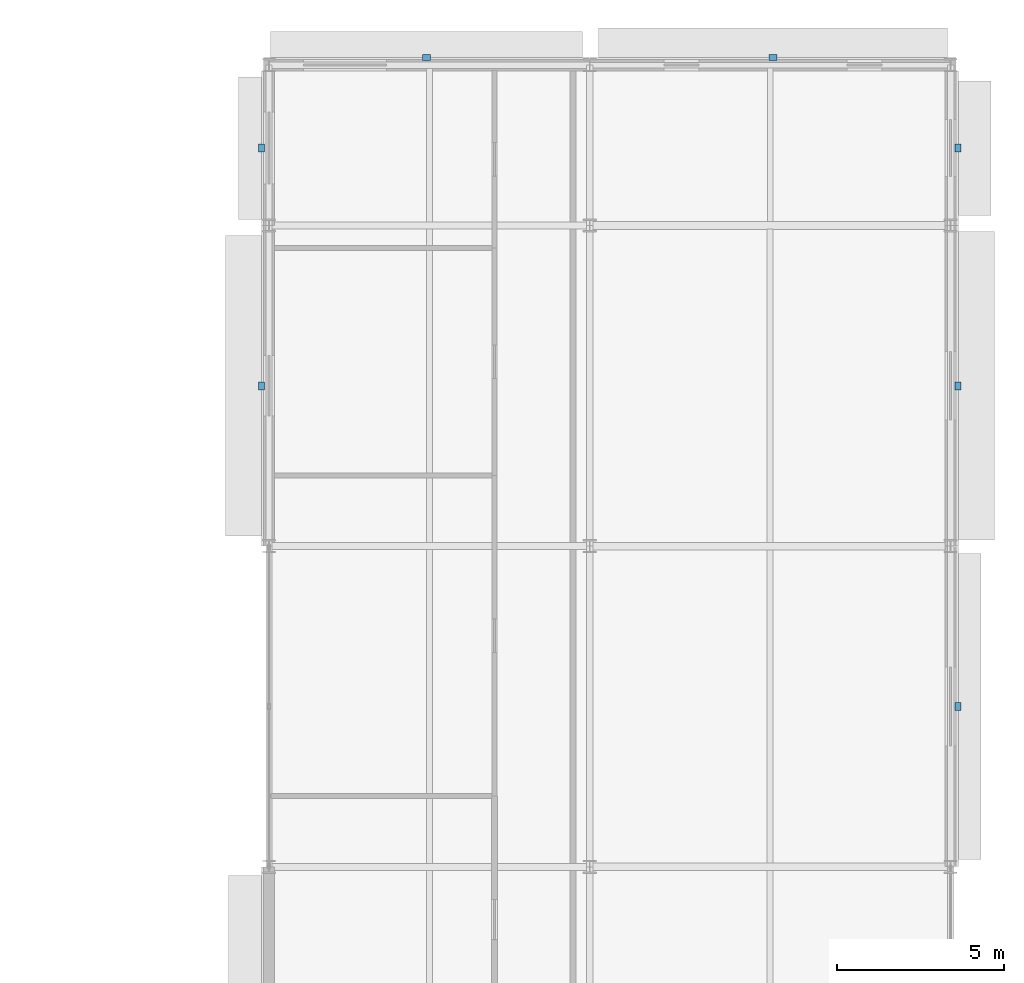
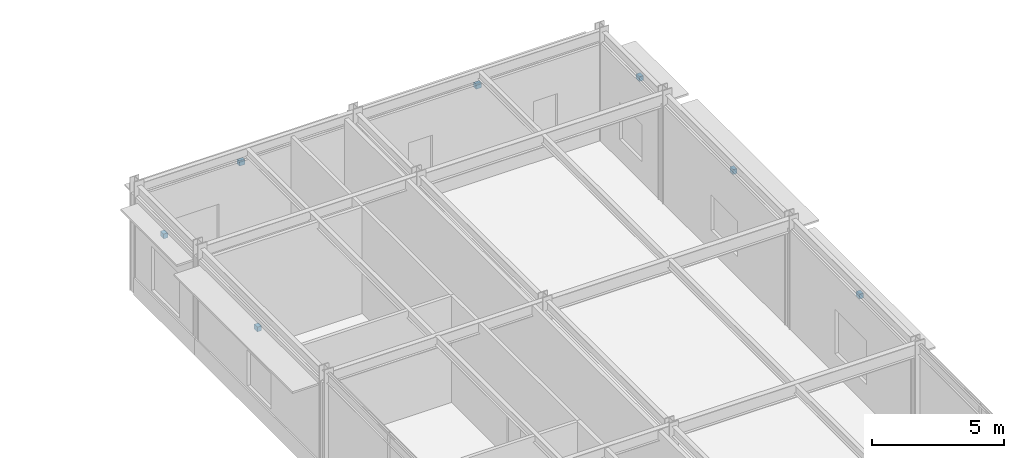
# One storey, part 140 of 168: 7 discrete accessories.
"""IFC4 building model written with IfcOpenShell, lengths in metres."""

import ifcopenshell
import ifcopenshell.guid

model = None  # the IFC model being written
_history = None  # IfcOwnerHistory: only IFC2X3 demands one
_inside = {}  # id of a spatial element -> (the spatial element, [elements in it])
_under = {}  # id of a project, library or spatial element -> (it, [spatial elements below it])
_declared = {}  # id of a project -> (the project, [libraries it declares])
_typed = {}  # id of a type object -> (the type object, [elements of that type])
_made_of = {}  # id of a material, layer set ... -> (it, [elements and type objects made of it])


def new_model(schema):
    """Start an empty IFC model of exactly this schema.

    Asked for "IFC4X3", IfcOpenShell would pick the latest addendum, in which some entities
    have other attributes; the version numbers below select the first issue.
    IFC2X3 requires an IfcOwnerHistory on every rooted entity: one is made here for all.
    """
    global model, _history
    if schema == "IFC4X3":
        model = ifcopenshell.file(schema_version=(4, 3, 0, 0))
    else:
        model = ifcopenshell.file(schema=schema)
    _inside.clear()
    _under.clear()
    _declared.clear()
    _typed.clear()
    _made_of.clear()
    _history = None
    if model.schema == "IFC2X3":
        org = make("IfcOrganization", Name="unknown")
        user = make(
            "IfcPersonAndOrganization",
            ThePerson=make("IfcPerson", FamilyName="unknown"),
            TheOrganization=org,
        )
        app = make(
            "IfcApplication",
            ApplicationDeveloper=org,
            Version="unknown",
            ApplicationFullName="unknown",
            ApplicationIdentifier="unknown",
        )
        _history = make(
            "IfcOwnerHistory",
            OwningUser=user,
            OwningApplication=app,
            ChangeAction="ADDED",
            CreationDate=0,
        )
    return model


def make(cls, **values):
    """One entity of the class cls with the attributes given. An attribute that is None is left unset."""
    return model.create_entity(
        cls, **{name: value for name, value in values.items() if value is not None}
    )


def rooted(cls, **values):
    """An entity with a GlobalId (a new one), such as an element, a storey or a relation."""
    return make(cls, GlobalId=ifcopenshell.guid.new(), OwnerHistory=_history, **values)


def si_unit(unit_type, name, prefix=None):
    """IfcSIUnit, for example si_unit("LENGTHUNIT", "METRE", prefix="MILLI")."""
    return make("IfcSIUnit", UnitType=unit_type, Prefix=prefix, Name=name)


def assignment(units):
    """IfcUnitAssignment: the units of a project."""
    return None if units is None else make("IfcUnitAssignment", Units=units)


def point(xyz):
    """IfcCartesianPoint."""
    return None if xyz is None else make("IfcCartesianPoint", Coordinates=xyz)


def direction(xyz):
    """IfcDirection."""
    return None if xyz is None else make("IfcDirection", DirectionRatios=xyz)


def frame(location, z_axis=None, x_axis=None):
    """IfcAxis2Placement3D, a coordinate frame: its origin and axes. An axis left out is left unset."""
    return make(
        "IfcAxis2Placement3D",
        Location=point(location),
        Axis=direction(z_axis),
        RefDirection=direction(x_axis),
    )


def frame_2d(location, x_axis=None):
    """IfcAxis2Placement2D, a coordinate frame in the plane: its origin and x axis."""
    return make(
        "IfcAxis2Placement2D", Location=point(location), RefDirection=direction(x_axis)
    )


def origin():
    """The frame at (0, 0, 0) with its axes left unset."""
    return frame((0.0, 0.0, 0.0))


def origin_2d():
    """The frame at (0, 0) in the plane with its x axis left unset."""
    return frame_2d((0.0, 0.0))


def place(relative_to, where):
    """IfcLocalPlacement: puts the frame where relative to a parent placement (None: the world)."""
    return make(
        "IfcLocalPlacement", PlacementRelTo=relative_to, RelativePlacement=where
    )


def context(
    kind, dimensions, precision=None, world=None, true_north=None, identifier=None
):
    """IfcGeometricRepresentationContext, for example the 3D "Model" context."""
    return make(
        "IfcGeometricRepresentationContext",
        ContextIdentifier=identifier,
        ContextType=kind,
        CoordinateSpaceDimension=dimensions,
        Precision=precision,
        WorldCoordinateSystem=world,
        TrueNorth=true_north,
    )


def subcontext(parent, identifier, kind, view, scale=None):
    """IfcGeometricRepresentationSubContext, for example "Body" below "Model"."""
    return make(
        "IfcGeometricRepresentationSubContext",
        ContextIdentifier=identifier,
        ContextType=kind,
        ParentContext=parent,
        TargetScale=scale,
        TargetView=view,
    )


def project(units=None, contexts=None):
    """IfcProject with its units and contexts."""
    return rooted(
        "IfcProject",
        Name="project",
        RepresentationContexts=contexts,
        UnitsInContext=assignment(units),
    )


def spatial(cls, under=None, at=None, **own):
    """A site, building, storey or space (cls), placed at a placement, below another one or the project."""
    s = rooted(cls, ObjectPlacement=at, **own)
    if under is not None:
        _under.setdefault(under.id(), (under, []))[1].append(s)
    return s


def profile(cls, at=None, kind="AREA", **sizes):
    """A parametric profile (cls). Its sizes go by their IFC names, for example OverallWidth=200.0."""
    return make(cls, ProfileType=kind, Position=at, **sizes)


def rectangle(**sizes):
    """IfcRectangleProfileDef."""
    return profile("IfcRectangleProfileDef", **sizes)


def extrude(swept, where, along, depth):
    """IfcExtrudedAreaSolid: the profile swept, set in the frame where, extruded along a direction by depth."""
    return make(
        "IfcExtrudedAreaSolid",
        SweptArea=swept,
        Position=where,
        ExtrudedDirection=direction(along),
        Depth=depth,
    )


def shape(context_of_items, identifier, shape_type, items):
    """IfcShapeRepresentation: the items that make up one representation, for example the "Body"."""
    return make(
        "IfcShapeRepresentation",
        ContextOfItems=context_of_items,
        RepresentationIdentifier=identifier,
        RepresentationType=shape_type,
        Items=items,
    )


def material(Name=None, Category=None):
    """IfcMaterial."""
    return make("IfcMaterial", Name=Name, Category=Category)


def layer(
    of_material, thickness, ventilated=None, Name=None, Category=None, Priority=None
):
    """IfcMaterialLayer: one layer of a wall or slab, of a material (None: an air gap)."""
    return make(
        "IfcMaterialLayer",
        Material=of_material,
        LayerThickness=thickness,
        IsVentilated=ventilated,
        Name=Name,
        Category=Category,
        Priority=Priority,
    )


def layer_set(layers, Name=None):
    """IfcMaterialLayerSet."""
    return make("IfcMaterialLayerSet", MaterialLayers=layers, LayerSetName=Name)


def made_of(thing, what):
    """Note that an element or type object is made of a material, layer set ...; save() writes the relation."""
    if what is not None:
        _made_of.setdefault(what.id(), (what, []))[1].append(thing)
    return thing


def type_object(cls, material=None, **own):
    """A type object (cls), such as IfcWallType, which elements share."""
    return made_of(rooted(cls, **own), material)


def element(
    cls,
    number,
    at=None,
    inside=None,
    cuts=None,
    type_object=None,
    material=None,
    context=None,
    identifier="Body",
    shape_type=None,
    held_by="IfcProductDefinitionShape",
    body=None,
    shapes=None,
    **own,
):
    """One element of the class cls, such as IfcWall. Its Tag is "e" and its number.

    at: its placement. inside: the storey or other place that contains it. cuts: it is an
    opening in that element (IfcRelVoidsElement). A single representation is given by context,
    identifier, shape_type and body (its items); several are given by shapes. held_by: the class
    of the entity that holds the representations. save() writes the other relations.
    """
    e = rooted(cls, Tag="e%d" % number, ObjectPlacement=at, **own)
    if body is not None:
        shapes = [shape(context, identifier, shape_type, body)]
    if shapes is not None:
        e.Representation = make(held_by, Representations=shapes)
    if inside is not None:
        _inside.setdefault(inside.id(), (inside, []))[1].append(e)
    if cuts is not None:
        rooted(
            "IfcRelVoidsElement", RelatingBuildingElement=cuts, RelatedOpeningElement=e
        )
    if type_object is not None:
        _typed.setdefault(type_object.id(), (type_object, []))[1].append(e)
    return made_of(e, material)


def aggregate(whole, parts):
    """IfcRelAggregates: a whole, such as a stair, and the parts it consists of."""
    return rooted("IfcRelAggregates", RelatingObject=whole, RelatedObjects=parts)


def save(model, path):
    """Write the relations noted so far, then the file.

    IfcRelAggregates (storeys below a building ...), IfcRelContainedInSpatialStructure (elements
    in a storey), IfcRelDefinesByType, IfcRelAssociatesMaterial and IfcRelDeclares: one each for
    every whole, place, type object, material and project.
    """
    for whole, parts in _under.values():
        aggregate(whole, parts)
    for where, things in _inside.values():
        rooted(
            "IfcRelContainedInSpatialStructure",
            RelatedElements=things,
            RelatingStructure=where,
        )
    for kind, things in _typed.values():
        rooted("IfcRelDefinesByType", RelatedObjects=things, RelatingType=kind)
    for what, things in _made_of.values():
        rooted("IfcRelAssociatesMaterial", RelatedObjects=things, RelatingMaterial=what)
    for by, libraries in _declared.values():
        rooted("IfcRelDeclares", RelatingContext=by, RelatedDefinitions=libraries)
    model.write(path)


model = new_model("IFC4")

# Units and contexts
model_context = context("Model", 3, precision=1e-05, world=origin(), true_north=direction((0.0, 1.0)))
body_context = subcontext(model_context, "Body", "Model", "MODEL_VIEW")
ifc_project = project(units=[si_unit("LENGTHUNIT", "METRE"), si_unit("AREAUNIT", "SQUARE_METRE"), si_unit("VOLUMEUNIT", "CUBIC_METRE"), si_unit("PLANEANGLEUNIT", "RADIAN"), si_unit("MASSUNIT", "GRAM", prefix="KILO")], contexts=[model_context])

# Site, building, storey
site_placement = place(None, origin())
site = spatial("IfcSite", under=ifc_project, at=site_placement, CompositionType="ELEMENT")
building_placement = place(site_placement, origin())
building = spatial("IfcBuilding", under=site, at=building_placement, Name="Almandine Court Research Institute", CompositionType="ELEMENT")
storey_placement = place(building_placement, origin())
storey = spatial("IfcBuildingStorey", under=building, at=storey_placement, Name="L00", CompositionType="ELEMENT", Elevation=0.0)

# Discrete accessories
ifc_material = material(Name="Galvanised Steel Facade Outrigger Bracket", Category="steel")
ifc_layer = layer(ifc_material, 0.219970703125)
ifc_layer_set = layer_set([ifc_layer], Name="Galvanised Steel Facade Outrigger Bracket")
discrete_accessory_type = type_object("IfcDiscreteAccessoryType", Name="Acc-CHJ-BRACKET", PredefinedType="BRACKET", material=ifc_layer_set)
for number, where, z_axis, x_axis, name in (
    (1, (153.3701171875, 108.0, 4.1162109375), (0.0, 0.0, 1.0), (0.0, 1.0, 0.0), "L00 Chhajja Outrigger Bracket 63"),
    (2, (153.3701171875, 115.114990234375, 4.1162109375), (0.0, 0.0, 1.0), (0.0, 1.0, 0.0), "L00 Chhajja Outrigger Bracket 64"),
    (3, (158.31298828125, 117.830078125, 4.10693359375), (0.0, 0.0, 1.0), (1.0, 0.0, 0.0), "L00 Chhajja Outrigger Bracket 65"),
    (4, (168.68701171875, 117.830078125, 4.0390625), (0.0, 0.0, 1.0), (1.0, 0.0, 0.0), "L00 Chhajja Outrigger Bracket 66"),
    (5, (174.22998046875, 115.114990234375, 4.10693359375), (0.0, 0.0, 1.0), (0.0, -1.0, 0.0), "L00 Chhajja Outrigger Bracket 67"),
    (6, (174.22998046875, 108.0, 4.10693359375), (0.0, 0.0, 1.0), (0.0, -1.0, 0.0), "L00 Chhajja Outrigger Bracket 68"),
    (7, (174.22998046875, 98.39990234375, 4.15380859375), (0.0, 0.0, 1.0), (0.0, -1.0, 0.0), "L00 Chhajja Outrigger Bracket 69"),
):
    element("IfcDiscreteAccessory", number, at=place(storey_placement, frame(where, z_axis=z_axis, x_axis=x_axis)), inside=storey, type_object=discrete_accessory_type, Name=name, PredefinedType="BRACKET", context=body_context, shape_type="SweptSolid", body=[
        extrude(rectangle(XDim=0.239990234375, YDim=0.179931640625, at=origin_2d()), origin(), (0.0, 0.0, 1.0), 0.219970703125),
    ])

save(model, "model.ifc")
